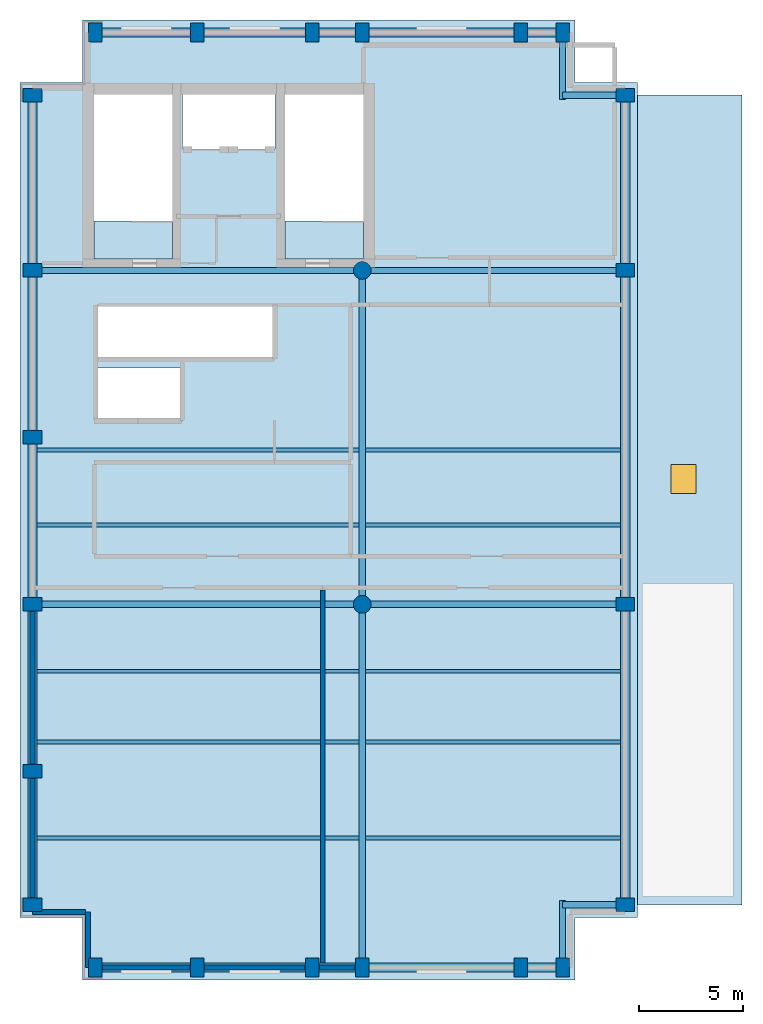
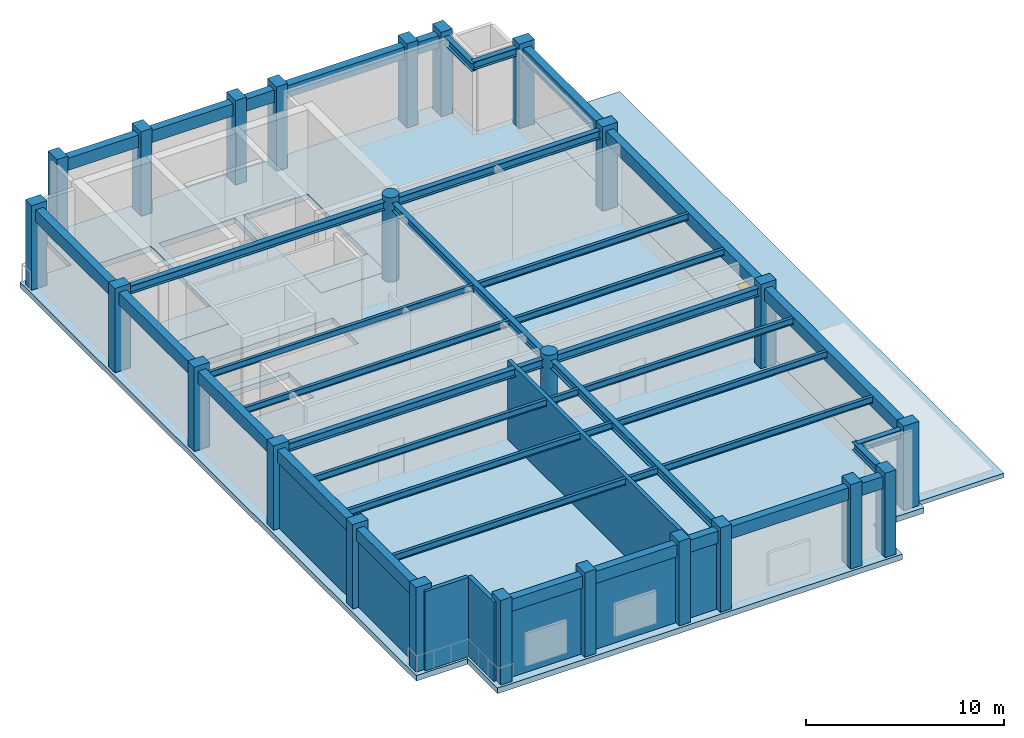
# One storey, part 1 of 4: 38 beams, 24 columns, 8 walls, 4 slabs, 1 window, 1 opening.
"""IFC4 building model written with IfcOpenShell, lengths in metres."""

from ifc_helpers import new_model, si_unit, direction, frame, frame_2d, origin, origin_2d, place, context, subcontext, project, spatial, polyline, rectangle, circle, i_section, outline, extrude, material, layer, layer_set, material_profile, profile_set, type_object, element, fill, save


model = new_model("IFC4")

# Units and contexts
model_context = context("Model", 3, precision=1e-05, world=origin(), true_north=direction((0.0, 1.0)))
body_context = subcontext(model_context, "Body", "Model", "MODEL_VIEW")
ifc_project = project(units=[si_unit("LENGTHUNIT", "METRE"), si_unit("AREAUNIT", "SQUARE_METRE"), si_unit("VOLUMEUNIT", "CUBIC_METRE"), si_unit("PLANEANGLEUNIT", "RADIAN"), si_unit("MASSUNIT", "GRAM", prefix="KILO")], contexts=[model_context])

# Site, building, storey
site_placement = place(None, origin())
site = spatial("IfcSite", under=ifc_project, at=site_placement, CompositionType="ELEMENT")
building_placement = place(site_placement, origin())
building = spatial("IfcBuilding", under=site, at=building_placement, Name="Sulina Concourse Tower", CompositionType="ELEMENT")
storey_placement = place(building_placement, frame((0.0, 0.0, 317.800048828125)))
storey = spatial("IfcBuildingStorey", under=building, at=storey_placement, Name="L77", CompositionType="ELEMENT", Elevation=317.800048828125)

# Columns
ifc_material_1 = material(Name="Precast concrete C50/60", Category="concrete")
ifc_material_profile_1 = material_profile(ifc_material_1, rectangle(XDim=0.64990234375, YDim=0.89990234375, at=origin_2d()), Name="PC 650x900")
ifc_profile_set_1 = profile_set([ifc_material_profile_1], Name="Precast concrete C50/60")
column_type_1 = type_object("IfcColumnType", Name="Precast Stepped Crown Pier 650x900", PredefinedType="COLUMN", material=ifc_profile_set_1)
for number, where, z_axis, x_axis, name in (
    (1, (3.60009765625, 0.60009765625, 0.0), (0.0, 0.0, 1.0), (1.0, 0.0, 0.0), "L77 structural column TP-S-36"),
    (2, (3.60009765625, 45.39990234375, 0.0), (0.0, 0.0, 1.0), (1.0, 0.0, 0.0), "L77 structural column TP-N-36"),
    (3, (8.5, 0.60009765625, 0.0), (0.0, 0.0, 1.0), (1.0, 0.0, 0.0), "L77 structural column TP-S-85"),
    (4, (8.5, 45.39990234375, 0.0), (0.0, 0.0, 1.0), (1.0, 0.0, 0.0), "L77 structural column TP-N-85"),
    (5, (14.0, 0.60009765625, 0.0), (0.0, 0.0, 1.0), (1.0, 0.0, 0.0), "L77 structural column TP-S-140"),
    (6, (14.0, 45.39990234375, 0.0), (0.0, 0.0, 1.0), (1.0, 0.0, 0.0), "L77 structural column TP-N-140"),
    (7, (16.39990234375, 0.60009765625, 0.0), (0.0, 0.0, 1.0), (1.0, 0.0, 0.0), "L77 structural column TP-S-164"),
    (8, (16.39990234375, 45.39990234375, 0.0), (0.0, 0.0, 1.0), (1.0, 0.0, 0.0), "L77 structural column TP-N-164"),
    (9, (24.0, 0.60009765625, 0.0), (0.0, 0.0, 1.0), (1.0, 0.0, 0.0), "L77 structural column TP-S-240"),
    (10, (24.0, 45.39990234375, 0.0), (0.0, 0.0, 1.0), (1.0, 0.0, 0.0), "L77 structural column TP-N-240"),
    (11, (26.0, 0.60009765625, 0.0), (0.0, 0.0, 1.0), (1.0, 0.0, 0.0), "L77 structural column TP-SC-260"),
    (12, (26.0, 45.39990234375, 0.0), (0.0, 0.0, 1.0), (1.0, 0.0, 0.0), "L77 structural column TP-NC-260"),
    (13, (0.60009765625, 3.60009765625, 0.0), (0.0, 0.0, 1.0), (0.0, 1.0, 0.0), "L77 structural column TP-W-36"),
    (14, (29.0, 3.60009765625, 0.0), (0.0, 0.0, 1.0), (0.0, 1.0, 0.0), "L77 structural column TP-E-36"),
    (15, (0.60009765625, 10.0, 0.0), (0.0, 0.0, 1.0), (0.0, 1.0, 0.0), "L77 structural column TP-W-100"),
    (16, (0.60009765625, 18.0, 0.0), (0.0, 0.0, 1.0), (0.0, 1.0, 0.0), "L77 structural column TP-W-180"),
    (17, (29.0, 18.0, 0.0), (0.0, 0.0, 1.0), (0.0, 1.0, 0.0), "L77 structural column TP-E-180"),
    (18, (0.60009765625, 26.0, 0.0), (0.0, 0.0, 1.0), (0.0, 1.0, 0.0), "L77 structural column TP-W-260"),
    (19, (0.60009765625, 34.0, 0.0), (0.0, 0.0, 1.0), (0.0, 1.0, 0.0), "L77 structural column TP-W-340"),
    (20, (29.0, 34.0, 0.0), (0.0, 0.0, 1.0), (0.0, 1.0, 0.0), "L77 structural column TP-E-340"),
    (21, (0.60009765625, 42.39990234375, 0.0), (0.0, 0.0, 1.0), (0.0, 1.0, 0.0), "L77 structural column TP-W-424"),
    (22, (29.0, 42.39990234375, 0.0), (0.0, 0.0, 1.0), (0.0, 1.0, 0.0), "L77 structural column TP-E-424"),
):
    element("IfcColumn", number, at=place(storey_placement, frame(where, z_axis=z_axis, x_axis=x_axis)), inside=storey, type_object=column_type_1, Name=name, PredefinedType="COLUMN", context=body_context, shape_type="SweptSolid", body=[
        extrude(rectangle(XDim=0.64990234375, YDim=0.89990234375, at=origin_2d()), origin(), (0.0, 0.0, 1.0), 5.199951171875),
    ])
ifc_material_2 = material(Name="Concrete C50/60", Category="concrete")
ifc_material_profile_2 = material_profile(ifc_material_2, circle(Radius=0.425048828125, at=origin_2d()), Name="RC D850")
ifc_profile_set_2 = profile_set([ifc_material_profile_2], Name="Concrete C50/60")
column_type_2 = type_object("IfcColumnType", Name="Upper Interior Circular Column D850", PredefinedType="COLUMN", material=ifc_profile_set_2)
for number, where, z_axis, x_axis, name in (
    (23, (16.39990234375, 18.0, 0.0), (0.0, 0.0, 1.0), (1.0, 0.0, 0.0), "L77 structural column IC-M-164"),
    (24, (16.39990234375, 34.0, 0.0), (0.0, 0.0, 1.0), (1.0, 0.0, 0.0), "L77 structural column IC-N-164"),
):
    element("IfcColumn", number, at=place(storey_placement, frame(where, z_axis=z_axis, x_axis=x_axis)), inside=storey, type_object=column_type_2, Name=name, PredefinedType="COLUMN", context=body_context, shape_type="SweptSolid", body=[
        extrude(circle(Radius=0.425048828125, at=origin_2d()), origin(), (0.0, 0.0, 1.0), 5.199951171875),
    ])

# Beams
ifc_material_3 = material(Name="Steel S355", Category="steel")
ifc_material_profile_3 = material_profile(ifc_material_3, i_section(OverallWidth=0.300048828125, OverallDepth=0.5, WebThickness=0.014404296875, FlangeThickness=0.028076171875, at=origin_2d()), Name="HE 500 B")
ifc_profile_set_3 = profile_set([ifc_material_profile_3], Name="Steel S355")
beam_type_1 = type_object("IfcBeamType", Name="Crown & Canopy Primary Girder HE500B", PredefinedType="BEAM", material=ifc_profile_set_3)
for number, where, z_axis, x_axis, name in (
    (25, (26.0, 3.60009765625, 4.6298828125), (1.0, 0.0, 0.0), (0.0, 1.0, 0.0), "TIE-SE-L77"),
    (26, (26.0, 42.39990234375, 4.6298828125), (1.0, 0.0, 0.0), (0.0, 1.0, 0.0), "TIE-NE-L77"),
):
    element("IfcBeam", number, at=place(storey_placement, frame(where, z_axis=z_axis, x_axis=x_axis)), inside=storey, type_object=beam_type_1, Name=name, PredefinedType="BEAM", context=body_context, shape_type="SweptSolid", body=[
        extrude(i_section(OverallWidth=0.300048828125, OverallDepth=0.5, WebThickness=0.014404296875, FlangeThickness=0.028076171875, at=origin_2d()), origin(), (0.0, 0.0, 1.0), 2.695068359375),
    ])
for number, where, z_axis, x_axis, name in (
    (27, (26.0, 0.905029296875, 4.6298828125), (0.0, 1.0, 0.0), (-1.0, 0.0, 0.0), "TIE-SES-L77"),
    (28, (26.0, 42.199951171875, 4.6298828125), (0.0, 1.0, 0.0), (-1.0, 0.0, 0.0), "TIE-NEN-L77"),
):
    element("IfcBeam", number, at=place(storey_placement, frame(where, z_axis=z_axis, x_axis=x_axis)), inside=storey, type_object=beam_type_1, Name=name, PredefinedType="BEAM", context=body_context, shape_type="SweptSolid", body=[
        extrude(i_section(OverallWidth=0.300048828125, OverallDepth=0.5, WebThickness=0.014404296875, FlangeThickness=0.028076171875, at=origin_2d()), origin(), (0.0, 0.0, 1.0), 2.89501953125),
    ])
beam_1_placement = place(storey_placement, frame((0.905029296875, 18.0, 4.6298828125), z_axis=(1.0, 0.0, 0.0), x_axis=(0.0, 1.0, 0.0)))
element("IfcBeam", 29, at=beam_1_placement, inside=storey, type_object=beam_type_1, Name="FG-EW1-L77", PredefinedType="BEAM", context=body_context, shape_type="SweptSolid", body=[
    extrude(i_section(OverallWidth=0.300048828125, OverallDepth=0.5, WebThickness=0.014404296875, FlangeThickness=0.028076171875, at=origin_2d()), origin(), (0.0, 0.0, 1.0), 15.090087890625),
])
beam_2_placement = place(storey_placement, frame((16.804931640625, 18.0, 4.6298828125), z_axis=(1.0, 0.0, 0.0), x_axis=(0.0, 1.0, 0.0)))
element("IfcBeam", 30, at=beam_2_placement, inside=storey, type_object=beam_type_1, Name="FG-EW2-L77", PredefinedType="BEAM", context=body_context, shape_type="SweptSolid", body=[
    extrude(i_section(OverallWidth=0.300048828125, OverallDepth=0.5, WebThickness=0.014404296875, FlangeThickness=0.028076171875, at=origin_2d()), origin(), (0.0, 0.0, 1.0), 11.89013671875),
])
beam_3_placement = place(storey_placement, frame((0.905029296875, 34.0, 4.6298828125), z_axis=(1.0, 0.0, 0.0), x_axis=(0.0, 1.0, 0.0)))
element("IfcBeam", 31, at=beam_3_placement, inside=storey, type_object=beam_type_1, Name="FG-EWN1-L77", PredefinedType="BEAM", context=body_context, shape_type="SweptSolid", body=[
    extrude(i_section(OverallWidth=0.300048828125, OverallDepth=0.5, WebThickness=0.014404296875, FlangeThickness=0.028076171875, at=origin_2d()), origin(), (0.0, 0.0, 1.0), 15.090087890625),
])
beam_4_placement = place(storey_placement, frame((16.804931640625, 34.0, 4.6298828125), z_axis=(1.0, 0.0, 0.0), x_axis=(0.0, 1.0, 0.0)))
element("IfcBeam", 32, at=beam_4_placement, inside=storey, type_object=beam_type_1, Name="FG-EWN2-L77", PredefinedType="BEAM", context=body_context, shape_type="SweptSolid", body=[
    extrude(i_section(OverallWidth=0.300048828125, OverallDepth=0.5, WebThickness=0.014404296875, FlangeThickness=0.028076171875, at=origin_2d()), origin(), (0.0, 0.0, 1.0), 11.89013671875),
])
beam_5_placement = place(storey_placement, frame((16.39990234375, 0.905029296875, 4.6298828125), z_axis=(0.0, 1.0, 0.0), x_axis=(-1.0, 0.0, 0.0)))
element("IfcBeam", 33, at=beam_5_placement, inside=storey, type_object=beam_type_1, Name="FG-NSA-16-L77", PredefinedType="BEAM", context=body_context, shape_type="SweptSolid", body=[
    extrude(i_section(OverallWidth=0.300048828125, OverallDepth=0.5, WebThickness=0.014404296875, FlangeThickness=0.028076171875, at=origin_2d()), origin(), (0.0, 0.0, 1.0), 16.68994140625),
])
beam_6_placement = place(storey_placement, frame((16.39990234375, 18.405029296875, 4.6298828125), z_axis=(0.0, 1.0, 0.0), x_axis=(-1.0, 0.0, 0.0)))
element("IfcBeam", 34, at=beam_6_placement, inside=storey, type_object=beam_type_1, Name="FG-NSB-16-L77", PredefinedType="BEAM", context=body_context, shape_type="SweptSolid", body=[
    extrude(i_section(OverallWidth=0.300048828125, OverallDepth=0.5, WebThickness=0.014404296875, FlangeThickness=0.028076171875, at=origin_2d()), origin(), (0.0, 0.0, 1.0), 15.18994140625),
])
ifc_material_4 = material(Name="Steel S355", Category="steel")
ifc_material_profile_4 = material_profile(ifc_material_4, i_section(OverallWidth=0.179931640625, OverallDepth=0.39990234375, WebThickness=0.008544921875, FlangeThickness=0.013427734375, at=origin_2d()), Name="IPE 400")
ifc_profile_set_4 = profile_set([ifc_material_profile_4], Name="Steel S355")
beam_type_2 = type_object("IfcBeamType", Name="Crown & Terrace Joist IPE400", PredefinedType="JOIST", material=ifc_profile_set_4)
beam_7_placement = place(storey_placement, frame((0.824951171875, 6.800048828125, 4.679931640625), z_axis=(1.0, 0.0, 0.0), x_axis=(0.0, 1.0, 0.0)))
element("IfcBeam", 35, at=beam_7_placement, inside=storey, type_object=beam_type_2, Name="FJ-J06-1-L77", PredefinedType="JOIST", context=body_context, shape_type="SweptSolid", body=[
    extrude(i_section(OverallWidth=0.179931640625, OverallDepth=0.39990234375, WebThickness=0.008544921875, FlangeThickness=0.013427734375, at=origin_2d()), origin(), (0.0, 0.0, 1.0), 15.425048828125),
])
beam_8_placement = place(storey_placement, frame((16.550048828125, 6.800048828125, 4.679931640625), z_axis=(1.0, 0.0, 0.0), x_axis=(0.0, 1.0, 0.0)))
element("IfcBeam", 36, at=beam_8_placement, inside=storey, type_object=beam_type_2, Name="FJ-J06-2-L77", PredefinedType="JOIST", context=body_context, shape_type="SweptSolid", body=[
    extrude(i_section(OverallWidth=0.179931640625, OverallDepth=0.39990234375, WebThickness=0.008544921875, FlangeThickness=0.013427734375, at=origin_2d()), origin(), (0.0, 0.0, 1.0), 12.224853515625),
])
beam_9_placement = place(storey_placement, frame((0.824951171875, 11.39990234375, 4.679931640625), z_axis=(1.0, 0.0, 0.0), x_axis=(0.0, 1.0, 0.0)))
element("IfcBeam", 37, at=beam_9_placement, inside=storey, type_object=beam_type_2, Name="FJ-J11-1-L77", PredefinedType="JOIST", context=body_context, shape_type="SweptSolid", body=[
    extrude(i_section(OverallWidth=0.179931640625, OverallDepth=0.39990234375, WebThickness=0.008544921875, FlangeThickness=0.013427734375, at=origin_2d()), origin(), (0.0, 0.0, 1.0), 15.425048828125),
])
beam_10_placement = place(storey_placement, frame((16.550048828125, 11.39990234375, 4.679931640625), z_axis=(1.0, 0.0, 0.0), x_axis=(0.0, 1.0, 0.0)))
element("IfcBeam", 38, at=beam_10_placement, inside=storey, type_object=beam_type_2, Name="FJ-J11-2-L77", PredefinedType="JOIST", context=body_context, shape_type="SweptSolid", body=[
    extrude(i_section(OverallWidth=0.179931640625, OverallDepth=0.39990234375, WebThickness=0.008544921875, FlangeThickness=0.013427734375, at=origin_2d()), origin(), (0.0, 0.0, 1.0), 12.224853515625),
])
beam_11_placement = place(storey_placement, frame((0.824951171875, 14.800048828125, 4.679931640625), z_axis=(1.0, 0.0, 0.0), x_axis=(0.0, 1.0, 0.0)))
element("IfcBeam", 39, at=beam_11_placement, inside=storey, type_object=beam_type_2, Name="FJ-J15-1-L77", PredefinedType="JOIST", context=body_context, shape_type="SweptSolid", body=[
    extrude(i_section(OverallWidth=0.179931640625, OverallDepth=0.39990234375, WebThickness=0.008544921875, FlangeThickness=0.013427734375, at=origin_2d()), origin(), (0.0, 0.0, 1.0), 15.425048828125),
])
beam_12_placement = place(storey_placement, frame((16.550048828125, 14.800048828125, 4.679931640625), z_axis=(1.0, 0.0, 0.0), x_axis=(0.0, 1.0, 0.0)))
element("IfcBeam", 40, at=beam_12_placement, inside=storey, type_object=beam_type_2, Name="FJ-J15-2-L77", PredefinedType="JOIST", context=body_context, shape_type="SweptSolid", body=[
    extrude(i_section(OverallWidth=0.179931640625, OverallDepth=0.39990234375, WebThickness=0.008544921875, FlangeThickness=0.013427734375, at=origin_2d()), origin(), (0.0, 0.0, 1.0), 12.224853515625),
])
beam_13_placement = place(storey_placement, frame((0.824951171875, 21.800048828125, 4.679931640625), z_axis=(1.0, 0.0, 0.0), x_axis=(0.0, 1.0, 0.0)))
element("IfcBeam", 41, at=beam_13_placement, inside=storey, type_object=beam_type_2, Name="FJ-J22-1-L77", PredefinedType="JOIST", context=body_context, shape_type="SweptSolid", body=[
    extrude(i_section(OverallWidth=0.179931640625, OverallDepth=0.39990234375, WebThickness=0.008544921875, FlangeThickness=0.013427734375, at=origin_2d()), origin(), (0.0, 0.0, 1.0), 15.425048828125),
])
beam_14_placement = place(storey_placement, frame((16.550048828125, 21.800048828125, 4.679931640625), z_axis=(1.0, 0.0, 0.0), x_axis=(0.0, 1.0, 0.0)))
element("IfcBeam", 42, at=beam_14_placement, inside=storey, type_object=beam_type_2, Name="FJ-J22-2-L77", PredefinedType="JOIST", context=body_context, shape_type="SweptSolid", body=[
    extrude(i_section(OverallWidth=0.179931640625, OverallDepth=0.39990234375, WebThickness=0.008544921875, FlangeThickness=0.013427734375, at=origin_2d()), origin(), (0.0, 0.0, 1.0), 12.224853515625),
])
beam_15_placement = place(storey_placement, frame((0.824951171875, 25.39990234375, 4.679931640625), z_axis=(1.0, 0.0, 0.0), x_axis=(0.0, 1.0, 0.0)))
element("IfcBeam", 43, at=beam_15_placement, inside=storey, type_object=beam_type_2, Name="FJ-J25-1-L77", PredefinedType="JOIST", context=body_context, shape_type="SweptSolid", body=[
    extrude(i_section(OverallWidth=0.179931640625, OverallDepth=0.39990234375, WebThickness=0.008544921875, FlangeThickness=0.013427734375, at=origin_2d()), origin(), (0.0, 0.0, 1.0), 15.425048828125),
])
beam_16_placement = place(storey_placement, frame((16.550048828125, 25.39990234375, 4.679931640625), z_axis=(1.0, 0.0, 0.0), x_axis=(0.0, 1.0, 0.0)))
element("IfcBeam", 44, at=beam_16_placement, inside=storey, type_object=beam_type_2, Name="FJ-J25-2-L77", PredefinedType="JOIST", context=body_context, shape_type="SweptSolid", body=[
    extrude(i_section(OverallWidth=0.179931640625, OverallDepth=0.39990234375, WebThickness=0.008544921875, FlangeThickness=0.013427734375, at=origin_2d()), origin(), (0.0, 0.0, 1.0), 12.224853515625),
])
ifc_material_5 = material(Name="Precast concrete C50/60", Category="concrete")
ifc_material_profile_5 = material_profile(ifc_material_5, rectangle(XDim=0.449951171875, YDim=0.75, at=origin_2d()), Name="RC 450x750")
ifc_profile_set_5 = profile_set([ifc_material_profile_5], Name="Precast concrete C50/60")
beam_type_3 = type_object("IfcBeamType", Name="Upper Precast Spandrel Edge Beam 450x750", PredefinedType="BEAM", material=ifc_profile_set_5)
beam_17_placement = place(storey_placement, frame((3.905029296875, 0.60009765625, 4.5048828125), z_axis=(1.0, 0.0, 0.0), x_axis=(0.0, 1.0, 0.0)))
element("IfcBeam", 45, at=beam_17_placement, inside=storey, type_object=beam_type_3, Name="SP-S1-L77", PredefinedType="BEAM", context=body_context, shape_type="SweptSolid", body=[
    extrude(rectangle(XDim=0.449951171875, YDim=0.75, at=origin_2d()), origin(), (0.0, 0.0, 1.0), 4.2900390625),
])
beam_18_placement = place(storey_placement, frame((8.804931640625, 0.60009765625, 4.5048828125), z_axis=(1.0, 0.0, 0.0), x_axis=(0.0, 1.0, 0.0)))
element("IfcBeam", 46, at=beam_18_placement, inside=storey, type_object=beam_type_3, Name="SP-S2-L77", PredefinedType="BEAM", context=body_context, shape_type="SweptSolid", body=[
    extrude(rectangle(XDim=0.449951171875, YDim=0.75, at=origin_2d()), origin(), (0.0, 0.0, 1.0), 4.89013671875),
])
beam_19_placement = place(storey_placement, frame((14.304931640625, 0.60009765625, 4.5048828125), z_axis=(1.0, 0.0, 0.0), x_axis=(0.0, 1.0, 0.0)))
element("IfcBeam", 47, at=beam_19_placement, inside=storey, type_object=beam_type_3, Name="SP-S3-L77", PredefinedType="BEAM", context=body_context, shape_type="SweptSolid", body=[
    extrude(rectangle(XDim=0.449951171875, YDim=0.75, at=origin_2d()), origin(), (0.0, 0.0, 1.0), 1.7900390625),
])
beam_20_placement = place(storey_placement, frame((16.705078125, 0.60009765625, 4.5048828125), z_axis=(1.0, 0.0, 0.0), x_axis=(0.0, 1.0, 0.0)))
element("IfcBeam", 48, at=beam_20_placement, inside=storey, type_object=beam_type_3, Name="SP-S4-L77", PredefinedType="BEAM", context=body_context, shape_type="SweptSolid", body=[
    extrude(rectangle(XDim=0.449951171875, YDim=0.75, at=origin_2d()), origin(), (0.0, 0.0, 1.0), 6.989990234375),
])
beam_21_placement = place(storey_placement, frame((24.304931640625, 0.60009765625, 4.5048828125), z_axis=(1.0, 0.0, 0.0), x_axis=(0.0, 1.0, 0.0)))
element("IfcBeam", 49, at=beam_21_placement, inside=storey, type_object=beam_type_3, Name="SP-S5-L77", PredefinedType="BEAM", context=body_context, shape_type="SweptSolid", body=[
    extrude(rectangle(XDim=0.449951171875, YDim=0.75, at=origin_2d()), origin(), (0.0, 0.0, 1.0), 1.39013671875),
])
beam_22_placement = place(storey_placement, frame((3.905029296875, 45.39990234375, 4.5048828125), z_axis=(1.0, 0.0, 0.0), x_axis=(0.0, 1.0, 0.0)))
element("IfcBeam", 50, at=beam_22_placement, inside=storey, type_object=beam_type_3, Name="SP-N1-L77", PredefinedType="BEAM", context=body_context, shape_type="SweptSolid", body=[
    extrude(rectangle(XDim=0.449951171875, YDim=0.75, at=origin_2d()), origin(), (0.0, 0.0, 1.0), 4.2900390625),
])
beam_23_placement = place(storey_placement, frame((8.804931640625, 45.39990234375, 4.5048828125), z_axis=(1.0, 0.0, 0.0), x_axis=(0.0, 1.0, 0.0)))
element("IfcBeam", 51, at=beam_23_placement, inside=storey, type_object=beam_type_3, Name="SP-N2-L77", PredefinedType="BEAM", context=body_context, shape_type="SweptSolid", body=[
    extrude(rectangle(XDim=0.449951171875, YDim=0.75, at=origin_2d()), origin(), (0.0, 0.0, 1.0), 4.89013671875),
])
beam_24_placement = place(storey_placement, frame((14.304931640625, 45.39990234375, 4.5048828125), z_axis=(1.0, 0.0, 0.0), x_axis=(0.0, 1.0, 0.0)))
element("IfcBeam", 52, at=beam_24_placement, inside=storey, type_object=beam_type_3, Name="SP-N3-L77", PredefinedType="BEAM", context=body_context, shape_type="SweptSolid", body=[
    extrude(rectangle(XDim=0.449951171875, YDim=0.75, at=origin_2d()), origin(), (0.0, 0.0, 1.0), 1.7900390625),
])
beam_25_placement = place(storey_placement, frame((16.705078125, 45.39990234375, 4.5048828125), z_axis=(1.0, 0.0, 0.0), x_axis=(0.0, 1.0, 0.0)))
element("IfcBeam", 53, at=beam_25_placement, inside=storey, type_object=beam_type_3, Name="SP-N4-L77", PredefinedType="BEAM", context=body_context, shape_type="SweptSolid", body=[
    extrude(rectangle(XDim=0.449951171875, YDim=0.75, at=origin_2d()), origin(), (0.0, 0.0, 1.0), 6.989990234375),
])
beam_26_placement = place(storey_placement, frame((24.304931640625, 45.39990234375, 4.5048828125), z_axis=(1.0, 0.0, 0.0), x_axis=(0.0, 1.0, 0.0)))
element("IfcBeam", 54, at=beam_26_placement, inside=storey, type_object=beam_type_3, Name="SP-N5-L77", PredefinedType="BEAM", context=body_context, shape_type="SweptSolid", body=[
    extrude(rectangle(XDim=0.449951171875, YDim=0.75, at=origin_2d()), origin(), (0.0, 0.0, 1.0), 1.39013671875),
])
beam_27_placement = place(storey_placement, frame((0.60009765625, 3.905029296875, 4.5048828125), z_axis=(0.0, 1.0, 0.0), x_axis=(-1.0, 0.0, 0.0)))
element("IfcBeam", 55, at=beam_27_placement, inside=storey, type_object=beam_type_3, Name="SP-W1-L77", PredefinedType="BEAM", context=body_context, shape_type="SweptSolid", body=[
    extrude(rectangle(XDim=0.449951171875, YDim=0.75, at=origin_2d()), origin(), (0.0, 0.0, 1.0), 5.7900390625),
])
for number, where, z_axis, x_axis, name in (
    (56, (0.60009765625, 10.304931640625, 4.5048828125), (0.0, 1.0, 0.0), (-1.0, 0.0, 0.0), "SP-W2-L77"),
    (57, (0.60009765625, 18.304931640625, 4.5048828125), (0.0, 1.0, 0.0), (-1.0, 0.0, 0.0), "SP-W3-L77"),
    (58, (0.60009765625, 26.304931640625, 4.5048828125), (0.0, 1.0, 0.0), (-1.0, 0.0, 0.0), "SP-W4-L77"),
):
    element("IfcBeam", number, at=place(storey_placement, frame(where, z_axis=z_axis, x_axis=x_axis)), inside=storey, type_object=beam_type_3, Name=name, PredefinedType="BEAM", context=body_context, shape_type="SweptSolid", body=[
        extrude(rectangle(XDim=0.449951171875, YDim=0.75, at=origin_2d()), origin(), (0.0, 0.0, 1.0), 7.39013671875),
    ])
beam_28_placement = place(storey_placement, frame((0.60009765625, 34.304931640625, 4.5048828125), z_axis=(0.0, 1.0, 0.0), x_axis=(-1.0, 0.0, 0.0)))
element("IfcBeam", 59, at=beam_28_placement, inside=storey, type_object=beam_type_3, Name="SP-W5-L77", PredefinedType="BEAM", context=body_context, shape_type="SweptSolid", body=[
    extrude(rectangle(XDim=0.449951171875, YDim=0.75, at=origin_2d()), origin(), (0.0, 0.0, 1.0), 7.7900390625),
])
beam_29_placement = place(storey_placement, frame((29.0, 3.905029296875, 4.5048828125), z_axis=(0.0, 1.0, 0.0), x_axis=(-1.0, 0.0, 0.0)))
element("IfcBeam", 60, at=beam_29_placement, inside=storey, type_object=beam_type_3, Name="SP-E1-L77", PredefinedType="BEAM", context=body_context, shape_type="SweptSolid", body=[
    extrude(rectangle(XDim=0.449951171875, YDim=0.75, at=origin_2d()), origin(), (0.0, 0.0, 1.0), 13.7900390625),
])
beam_30_placement = place(storey_placement, frame((29.0, 18.304931640625, 4.5048828125), z_axis=(0.0, 1.0, 0.0), x_axis=(-1.0, 0.0, 0.0)))
element("IfcBeam", 61, at=beam_30_placement, inside=storey, type_object=beam_type_3, Name="SP-E2-L77", PredefinedType="BEAM", context=body_context, shape_type="SweptSolid", body=[
    extrude(rectangle(XDim=0.449951171875, YDim=0.75, at=origin_2d()), origin(), (0.0, 0.0, 1.0), 15.39013671875),
])
beam_31_placement = place(storey_placement, frame((29.0, 34.304931640625, 4.5048828125), z_axis=(0.0, 1.0, 0.0), x_axis=(-1.0, 0.0, 0.0)))
element("IfcBeam", 62, at=beam_31_placement, inside=storey, type_object=beam_type_3, Name="SP-E3-L77", PredefinedType="BEAM", context=body_context, shape_type="SweptSolid", body=[
    extrude(rectangle(XDim=0.449951171875, YDim=0.75, at=origin_2d()), origin(), (0.0, 0.0, 1.0), 7.7900390625),
])

# Slabs
ifc_material_6 = material(Name="Concrete C60/75", Category="concrete")
ifc_layer_1 = layer(ifc_material_6, 0.340087890625)
ifc_layer_set_1 = layer_set([ifc_layer_1], Name="Concrete C60/75")
slab_type_1 = type_object("IfcSlabType", Name="Mechanical Plant & Sky-Lobby Slab 340mm", PredefinedType="FLOOR", material=ifc_layer_set_1)
slab_1_placement = place(storey_placement, frame((0.0, 0.0, -0.340087890625)))
element("IfcSlab", 63, at=slab_1_placement, inside=storey, type_object=slab_type_1, Name="L77 structural floor slab", PredefinedType="FLOOR", context=body_context, shape_type="SweptSolid", body=[
    extrude(outline(polyline([(3.0, 0.0), (26.60009765625, 0.0), (26.60009765625, 3.0), (29.60009765625, 3.0), (29.60009765625, 43.0), (26.60009765625, 43.0), (26.60009765625, 46.0), (3.0, 46.0), (3.0, 43.0), (0.0, 43.0), (0.0, 3.0), (3.0, 3.0), (3.0, 0.0)]), holes=[polyline([(7.31005859375, 34.550048828125), (7.31005859375, 42.429931640625), (3.550048828125, 42.429931640625), (3.550048828125, 34.550048828125), (7.31005859375, 34.550048828125)]), polyline([(16.449951171875, 34.550048828125), (16.449951171875, 42.429931640625), (12.68994140625, 42.429931640625), (12.68994140625, 34.550048828125), (16.449951171875, 34.550048828125)]), polyline([(7.780029296875, 39.830078125), (12.219970703125, 39.830078125), (12.219970703125, 42.449951171875), (7.780029296875, 42.449951171875), (7.780029296875, 39.830078125)]), polyline([(3.739990234375, 26.780029296875), (7.77001953125, 26.780029296875), (7.77001953125, 29.320068359375), (3.739990234375, 29.320068359375), (3.739990234375, 26.780029296875)]), polyline([(3.739990234375, 29.780029296875), (12.10009765625, 29.780029296875), (12.10009765625, 32.3701171875), (3.739990234375, 32.3701171875), (3.739990234375, 29.780029296875)])]), origin(), (0.0, 0.0, 1.0), 0.340087890625),
])
ifc_material_7 = material(Name="Concrete C50/60", Category="concrete")
ifc_layer_2 = layer(ifc_material_7, 0.199951171875)
ifc_layer_set_2 = layer_set([ifc_layer_2], Name="Concrete C50/60")
slab_type_2 = type_object("IfcSlabType", Name="Primary Core Stair Landing Slab 200mm", PredefinedType="LANDING", material=ifc_layer_set_2)
slab_2_placement = place(storey_placement, frame((0.0, 0.0, -0.199951171875)))
element("IfcSlab", 64, at=slab_2_placement, inside=storey, type_object=slab_type_2, Name="L77 ST-1 floor landing slab", PredefinedType="LANDING", context=body_context, shape_type="SweptSolid", body=[
    extrude(outline(polyline([(7.31005859375, 34.550048828125), (7.31005859375, 36.375), (3.550048828125, 36.375), (3.550048828125, 34.550048828125), (7.31005859375, 34.550048828125)])), origin(), (0.0, 0.0, 1.0), 0.199951171875),
])
slab_3_placement = place(storey_placement, frame((0.0, 0.0, -0.199951171875)))
element("IfcSlab", 65, at=slab_3_placement, inside=storey, type_object=slab_type_2, Name="L77 ST-2 floor landing slab", PredefinedType="LANDING", context=body_context, shape_type="SweptSolid", body=[
    extrude(outline(polyline([(16.449951171875, 34.550048828125), (16.449951171875, 36.375), (12.68994140625, 36.375), (12.68994140625, 34.550048828125), (16.449951171875, 34.550048828125)])), origin(), (0.0, 0.0, 1.0), 0.199951171875),
])

# Slab, opening, window
ifc_material_8 = material(Name="Precast concrete C50/60", Category="concrete")
ifc_layer_3 = layer(ifc_material_8, 0.27001953125)
ifc_layer_set_3 = layer_set([ifc_layer_3], Name="Precast concrete C50/60")
slab_type_3 = type_object("IfcSlabType", Name="Station Canopy & Wing Step Roof Slab 270mm", PredefinedType="ROOF", material=ifc_layer_set_3)
slab_4_placement = place(storey_placement, frame((0.0, 0.0, -0.27001953125)))
slab_4 = element("IfcSlab", 66, at=slab_4_placement, inside=storey, type_object=slab_type_3, Name="L77 maintenance roof slab SL-ROOF-STEP-L77", PredefinedType="ROOF", context=body_context, shape_type="SweptSolid", body=[
    extrude(outline(polyline([(29.60009765625, 3.60009765625), (34.60009765625, 3.60009765625), (34.60009765625, 42.39990234375), (29.60009765625, 42.39990234375), (29.60009765625, 3.60009765625)])), origin(), (0.0, 0.0, 1.0), 0.27001953125),
])
opening_placement = place(slab_4_placement, frame((31.800048828125, 24.0, 0.0)))
opening = element("IfcOpeningElement", 67, at=opening_placement, cuts=slab_4, Name="Opening WN-78", PredefinedType="OPENING", context=body_context, shape_type="SweptSolid", body=[
    extrude(rectangle(XDim=1.199951171875, YDim=1.39990234375, at=origin_2d()), origin(), (0.0, 0.0, 1.0), 0.27001953125),
])
ifc_material_9 = material(Name="Anodised aluminium insulated hatch", Category="aluminium")
window_type = type_object("IfcWindowType", Name="Insulated Roof Access Hatch 1200x1400", PartitioningType="SINGLE_PANEL", PredefinedType="SKYLIGHT", material=ifc_material_9)
window_placement = place(opening_placement, frame((0.0, 0.0, 0.219970703125)))
window = element("IfcWindow", 68, at=window_placement, inside=storey, type_object=window_type, Name="ROOF ACCESS HATCH L77", OverallHeight=1.39990234375, OverallWidth=1.199951171875, PartitioningType="SINGLE_PANEL", PredefinedType="SKYLIGHT", context=body_context, shape_type="SweptSolid", body=[
    extrude(rectangle(XDim=1.199951171875, YDim=1.39990234375, at=origin_2d()), origin(), (0.0, 0.0, 1.0), 0.050048828125),
])
fill(opening, window)

# Walls
ifc_material_10 = material(Name="Precast concrete C50/60", Category="concrete")
ifc_layer_4 = layer(ifc_material_10, 0.239990234375)
ifc_layer_set_4 = layer_set([ifc_layer_4], Name="Precast concrete C50/60")
wall_type_1 = type_object("IfcWallType", Name="Crown Precast Masonry-Frame Facade Wall 240mm", PredefinedType="SOLIDWALL", material=ifc_layer_set_4)
wall_1_placement = place(storey_placement, frame((8.155029296875, 0.60009765625, 0.0), z_axis=(0.0, 0.0, 1.0), x_axis=(-1.0, 0.0, 0.0)))
element("IfcWall", 69, at=wall_1_placement, inside=storey, type_object=wall_type_1, Name="L77 exterior precast wall S1", PredefinedType="SOLIDWALL", context=body_context, shape_type="SweptSolid", body=[
    extrude(rectangle(XDim=4.2099609375, YDim=0.239990234375, at=frame_2d((2.10498046875, 0.0))), origin(), (0.0, 0.0, 1.0), 4.1298828125),
])
wall_2_placement = place(storey_placement, frame((13.655029296875, 0.60009765625, 0.0), z_axis=(0.0, 0.0, 1.0), x_axis=(-1.0, 0.0, 0.0)))
element("IfcWall", 70, at=wall_2_placement, inside=storey, type_object=wall_type_1, Name="L77 exterior precast wall S2", PredefinedType="SOLIDWALL", context=body_context, shape_type="SweptSolid", body=[
    extrude(rectangle(XDim=4.81005859375, YDim=0.239990234375, at=frame_2d((2.405029296875, 0.0))), origin(), (0.0, 0.0, 1.0), 4.1298828125),
])
wall_3_placement = place(storey_placement, frame((16.054931640625, 0.60009765625, 0.0), z_axis=(0.0, 0.0, 1.0), x_axis=(-1.0, 0.0, 0.0)))
element("IfcWall", 71, at=wall_3_placement, inside=storey, type_object=wall_type_1, Name="L77 exterior precast wall S3", PredefinedType="SOLIDWALL", context=body_context, shape_type="SweptSolid", body=[
    extrude(rectangle(XDim=1.7099609375, YDim=0.239990234375, at=frame_2d((0.85498046875, 0.0))), origin(), (0.0, 0.0, 1.0), 4.1298828125),
])
wall_4_placement = place(storey_placement, frame((0.60009765625, 3.945068359375, 0.0), z_axis=(0.0, 0.0, 1.0), x_axis=(0.0, 1.0, 0.0)))
element("IfcWall", 72, at=wall_4_placement, inside=storey, type_object=wall_type_1, Name="L77 exterior precast wall W1", PredefinedType="SOLIDWALL", context=body_context, shape_type="SweptSolid", body=[
    extrude(rectangle(XDim=5.7099609375, YDim=0.239990234375, at=frame_2d((2.85498046875, 0.0))), origin(), (0.0, 0.0, 1.0), 4.1298828125),
])
wall_5_placement = place(storey_placement, frame((0.60009765625, 10.344970703125, 0.0), z_axis=(0.0, 0.0, 1.0), x_axis=(0.0, 1.0, 0.0)))
element("IfcWall", 73, at=wall_5_placement, inside=storey, type_object=wall_type_1, Name="L77 exterior precast wall W2", PredefinedType="SOLIDWALL", context=body_context, shape_type="SweptSolid", body=[
    extrude(rectangle(XDim=7.31005859375, YDim=0.239990234375, at=frame_2d((3.655029296875, 0.0))), origin(), (0.0, 0.0, 1.0), 4.1298828125),
])
wall_6_placement = place(storey_placement, frame((3.2548828125, 0.60009765625, 0.0), z_axis=(0.0, 0.0, 1.0), x_axis=(0.0, 1.0, 0.0)))
element("IfcWall", 74, at=wall_6_placement, inside=storey, type_object=wall_type_1, Name="L77 exterior precast wall CSW1", PredefinedType="SOLIDWALL", context=body_context, shape_type="SweptSolid", body=[
    extrude(rectangle(XDim=2.65478515625, YDim=0.239990234375, at=frame_2d((1.327392578125, 0.0))), origin(), (0.0, 0.0, 1.0), 4.8798828125),
])
wall_7_placement = place(storey_placement, frame((3.1298828125, 3.2548828125, 0.0), z_axis=(0.0, 0.0, 1.0), x_axis=(-1.0, 0.0, 0.0)))
element("IfcWall", 75, at=wall_7_placement, inside=storey, type_object=wall_type_1, Name="L77 exterior precast wall CSW2", PredefinedType="SOLIDWALL", context=body_context, shape_type="SweptSolid", body=[
    extrude(rectangle(XDim=2.52978515625, YDim=0.239990234375, at=frame_2d((1.264892578125, 0.0))), origin(), (0.0, 0.0, 1.0), 4.8798828125),
])
ifc_material_11 = material(Name="Gypsum board on steel stud", Category="steel")
ifc_layer_5 = layer(ifc_material_11, 0.219970703125)
ifc_layer_set_5 = layer_set([ifc_layer_5], Name="Gypsum board on steel stud")
wall_type_2 = type_object("IfcWallType", Name="Fire-Rated Lobby & Compartment Wall 220mm", PredefinedType="PARTITIONING", material=ifc_layer_set_5)
wall_8_placement = place(storey_placement, frame((14.5, 0.719970703125, 0.0), z_axis=(0.0, 0.0, 1.0), x_axis=(0.0, 1.0, 0.0)))
element("IfcWall", 76, at=wall_8_placement, inside=storey, type_object=wall_type_2, Name="L77 interior partition 019", PredefinedType="PARTITIONING", context=body_context, shape_type="SweptSolid", body=[
    extrude(rectangle(XDim=17.969970703125, YDim=0.219970703125, at=frame_2d((8.98486328125, 0.0))), origin(), (0.0, 0.0, 1.0), 4.8798828125),
])

save(model, "model.ifc")
